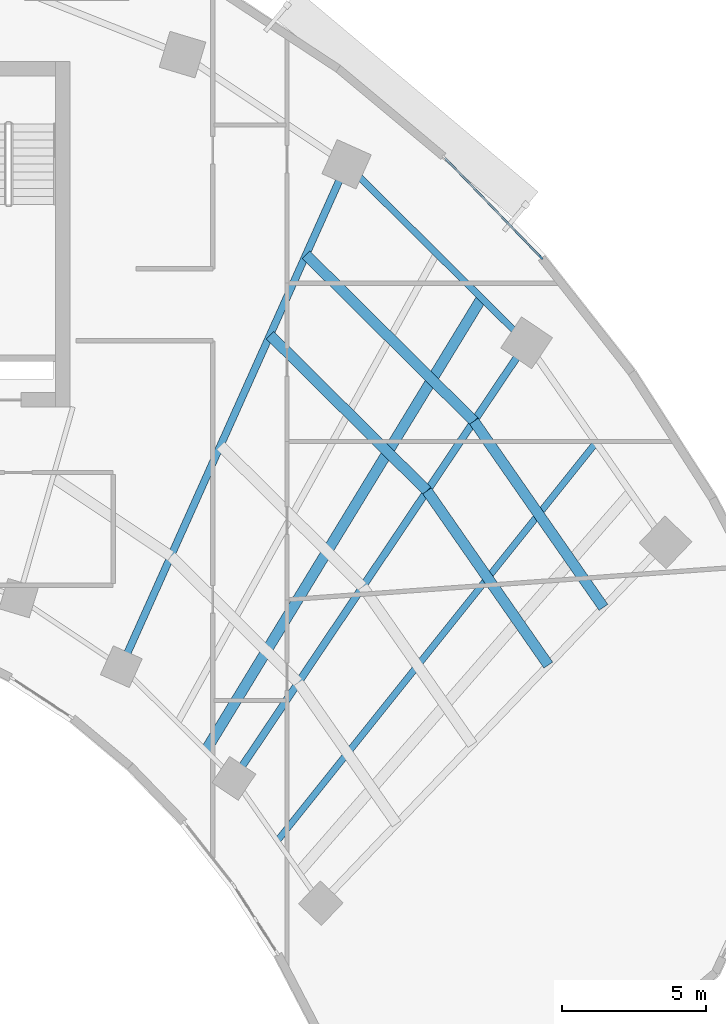
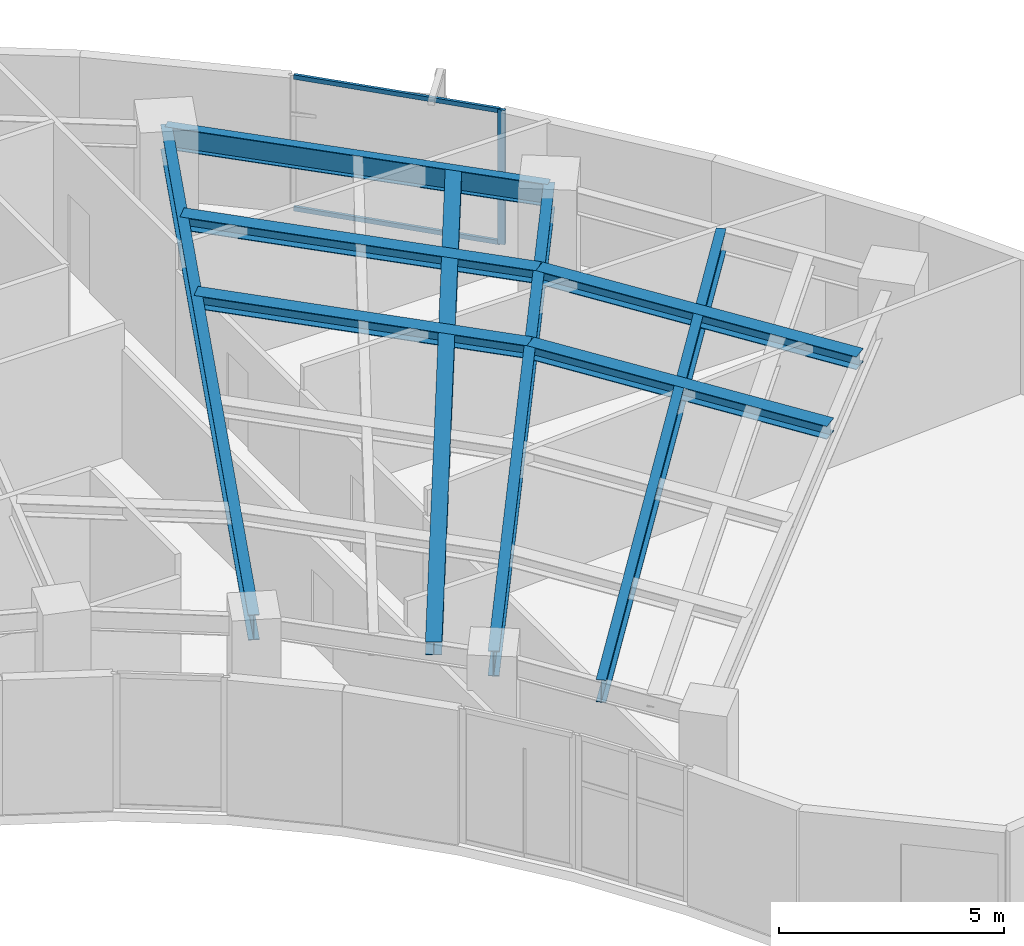
# One storey, part 4 of 14: 9 beams, 3 members, 1 element without a shape of its own.
"""IFC4 building model written with IfcOpenShell, lengths in metres."""

from ifc_helpers import new_model, si_unit, direction, frame, origin, origin_2d, place, context, subcontext, project, spatial, rectangle, i_section, extrude, source, transform, mapped, material, layer, layer_set, material_profile, profile_set, type_object, element, aggregate, save


model = new_model("IFC4")

# Units and contexts
model_context = context("Model", 3, precision=1e-05, world=origin(), true_north=direction((0.0, 1.0)))
body_context = subcontext(model_context, "Body", "Model", "MODEL_VIEW")
ifc_project = project(units=[si_unit("LENGTHUNIT", "METRE"), si_unit("AREAUNIT", "SQUARE_METRE"), si_unit("VOLUMEUNIT", "CUBIC_METRE"), si_unit("PLANEANGLEUNIT", "RADIAN"), si_unit("MASSUNIT", "GRAM", prefix="KILO")], contexts=[model_context])

# Site, building, storey
site_placement = place(None, origin())
site = spatial("IfcSite", under=ifc_project, at=site_placement, CompositionType="ELEMENT")
building_placement = place(site_placement, origin())
building = spatial("IfcBuilding", under=site, at=building_placement, Name="Breltana Convention Tower", CompositionType="ELEMENT")
storey_placement = place(building_placement, frame((0.0, 0.0, 99.89990234375)))
storey = spatial("IfcBuildingStorey", under=building, at=storey_placement, Name="L23", CompositionType="ELEMENT", Elevation=99.89990234375)

# Beams
ifc_material_1 = material(Name="Steel ASTM A992 Grade 50", Category="steel")
ifc_material_profile_1 = material_profile(ifc_material_1, i_section(OverallWidth=0.25390625, OverallDepth=0.68798828125, WebThickness=0.01318359375, FlangeThickness=0.02099609375, at=origin_2d()), Name="W27X102")
ifc_profile_set_1 = profile_set([ifc_material_profile_1], Name="Steel ASTM A992 Grade 50")
beam_type_1 = type_object("IfcBeamType", Name="BM-RG-W27X102", PredefinedType="USERDEFINED", material=ifc_profile_set_1)
shared_shape_1 = source(origin(), body_context, "Body", "SweptSolid", [
    extrude(i_section(OverallWidth=0.25390625, OverallDepth=0.68798828125, WebThickness=0.01318359375, FlangeThickness=0.02099609375, at=origin_2d()), origin(), (0.0, 0.0, 1.0), 19.133544921875),
])
beam_1_placement = place(storey_placement, frame((61.08203125, 51.174560546875, 3.30615234375), z_axis=(0.409144564164, 0.912469575172, 0.0), x_axis=(-0.912469575172, 0.409144564164, 0.0)))
element("IfcBeam", 1, at=beam_1_placement, inside=storey, type_object=beam_type_1, Name="L23 Radial Floor Girder R09", ObjectType="GIRDER", PredefinedType="USERDEFINED", context=body_context, shape_type="MappedRepresentation", body=[
    mapped(shared_shape_1, transform((0.0, 0.0, 0.0), scale=1.0)),
])
shared_shape_2 = source(origin(), body_context, "Body", "SweptSolid", [
    extrude(i_section(OverallWidth=0.25390625, OverallDepth=0.68798828125, WebThickness=0.01318359375, FlangeThickness=0.02099609375, at=origin_2d()), origin(), (0.0, 0.0, 1.0), 18.236328125),
])
beam_2_placement = place(storey_placement, frame((64.995849609375, 47.293701171875, 3.30615234375), z_axis=(0.557730360975, 0.830022195153, 0.0), x_axis=(-0.830022195153, 0.557730360975, 0.0)))
element("IfcBeam", 2, at=beam_2_placement, inside=storey, type_object=beam_type_1, Name="L23 Radial Floor Girder R10", ObjectType="GIRDER", PredefinedType="USERDEFINED", context=body_context, shape_type="MappedRepresentation", body=[
    mapped(shared_shape_2, transform((0.0, 0.0, 0.0), scale=1.0)),
])
ifc_material_profile_2 = material_profile(ifc_material_1, i_section(OverallWidth=0.22802734375, OverallDepth=0.60791015625, WebThickness=0.01123046875, FlangeThickness=0.017333984375, at=origin_2d()), Name="W24X76")
ifc_profile_set_2 = profile_set([ifc_material_profile_2], Name="Steel ASTM A992 Grade 50")
beam_type_2 = type_object("IfcBeamType", Name="BM-SP-W24X76", PredefinedType="SPANDREL", material=ifc_profile_set_2)
shared_shape_3 = source(origin(), body_context, "Body", "SweptSolid", [
    extrude(i_section(OverallWidth=0.22802734375, OverallDepth=0.60791015625, WebThickness=0.01123046875, FlangeThickness=0.017333984375, at=origin_2d()), origin(), (0.0, 0.0, 1.0), 8.810302734375),
])
beam_3_placement = place(storey_placement, frame((68.910400390625, 68.63330078125, 3.34619140625), z_axis=(0.710120823582, -0.704079836322, 0.0), x_axis=(0.704079836322, 0.710120823582, 0.0)))
element("IfcBeam", 3, at=beam_3_placement, inside=storey, type_object=beam_type_2, Name="L23 Outer Spandrel Beam 09", PredefinedType="SPANDREL", context=body_context, shape_type="MappedRepresentation", body=[
    mapped(shared_shape_3, transform((0.0, 0.0, 0.0), scale=1.0)),
])
ifc_material_profile_3 = material_profile(ifc_material_1, i_section(OverallWidth=0.368896484375, OverallDepth=0.35595703125, WebThickness=0.01123046875, FlangeThickness=0.01806640625, at=origin_2d()), Name="W14X90")
ifc_profile_set_3 = profile_set([ifc_material_profile_3], Name="Steel ASTM A992 Grade 50")
beam_type_3 = type_object("IfcBeamType", Name="BM-JSG-09", PredefinedType="JOIST", material=ifc_profile_set_3)
shared_shape_4 = source(origin(), body_context, "Body", "SweptSolid", [
    extrude(i_section(OverallWidth=0.368896484375, OverallDepth=0.35595703125, WebThickness=0.01123046875, FlangeThickness=0.01806640625, at=origin_2d()), origin(), (0.0, 0.0, 1.0), 7.688720703125),
])
beam_4_placement = place(storey_placement, frame((66.248779296875, 62.697265625, 3.47216796875), z_axis=(0.710101109809, -0.704099718682, 0.0), x_axis=(0.704099718682, 0.710101109809, 0.0)))
element("IfcBeam", 4, at=beam_4_placement, inside=storey, type_object=beam_type_3, Name="L23 Composite Floor Joist 09.3", PredefinedType="JOIST", context=body_context, shape_type="MappedRepresentation", body=[
    mapped(shared_shape_4, transform((0.0, 0.0, 0.0), scale=1.0)),
])
shared_shape_5 = source(origin(), body_context, "Body", "SweptSolid", [
    extrude(i_section(OverallWidth=0.368896484375, OverallDepth=0.35595703125, WebThickness=0.01123046875, FlangeThickness=0.01806640625, at=origin_2d()), origin(), (0.0, 0.0, 1.0), 8.21630859375),
])
beam_5_placement = place(storey_placement, frame((67.50146484375, 65.49072265625, 3.47216796875), z_axis=(0.710101511063, -0.704099314008, 0.0), x_axis=(0.704099314008, 0.710101511063, 0.0)))
element("IfcBeam", 5, at=beam_5_placement, inside=storey, type_object=beam_type_3, Name="L23 Composite Floor Joist 09.4", PredefinedType="JOIST", context=body_context, shape_type="MappedRepresentation", body=[
    mapped(shared_shape_5, transform((0.0, 0.0, 0.0), scale=1.0)),
])
shared_shape_6 = source(origin(), body_context, "Body", "SweptSolid", [
    extrude(i_section(OverallWidth=0.368896484375, OverallDepth=0.35595703125, WebThickness=0.01123046875, FlangeThickness=0.01806640625, at=origin_2d()), origin(), (0.0, 0.0, 1.0), 18.409423828125),
])
beam_6_placement = place(storey_placement, frame((64.017333984375, 48.263916015625, 3.47216796875), z_axis=(0.520682167606, 0.853750596098, 0.0), x_axis=(-0.853750596098, 0.520682167606, 0.0)))
element("IfcBeam", 6, at=beam_6_placement, inside=storey, type_object=beam_type_3, Name="L23 Quarter-Bay Radial Trimmer 09", PredefinedType="JOIST", context=body_context, shape_type="MappedRepresentation", body=[
    mapped(shared_shape_6, transform((0.0, 0.0, 0.0), scale=1.0)),
])
shared_shape_7 = source(origin(), body_context, "Body", "SweptSolid", [
    extrude(i_section(OverallWidth=0.368896484375, OverallDepth=0.35595703125, WebThickness=0.01123046875, FlangeThickness=0.01806640625, at=origin_2d()), origin(), (0.0, 0.0, 1.0), 7.374267578125),
])
beam_7_placement = place(storey_placement, frame((71.70849609375, 57.28369140625, 3.47216796875), z_axis=(0.571229379406, -0.820790470281, 0.0), x_axis=(0.820790470281, 0.571229379406, 0.0)))
element("IfcBeam", 7, at=beam_7_placement, inside=storey, type_object=beam_type_3, Name="L23 Composite Floor Joist 10.3", PredefinedType="JOIST", context=body_context, shape_type="MappedRepresentation", body=[
    mapped(shared_shape_7, transform((0.0, 0.0, 0.0), scale=1.0)),
])
shared_shape_8 = source(origin(), body_context, "Body", "SweptSolid", [
    extrude(i_section(OverallWidth=0.368896484375, OverallDepth=0.35595703125, WebThickness=0.01123046875, FlangeThickness=0.01806640625, at=origin_2d()), origin(), (0.0, 0.0, 1.0), 7.88037109375),
])
beam_8_placement = place(storey_placement, frame((73.3359375, 59.70556640625, 3.47216796875), z_axis=(0.571197916304, -0.820812366141, 0.0), x_axis=(0.820812366141, 0.571197916304, 0.0)))
element("IfcBeam", 8, at=beam_8_placement, inside=storey, type_object=beam_type_3, Name="L23 Composite Floor Joist 10.4", PredefinedType="JOIST", context=body_context, shape_type="MappedRepresentation", body=[
    mapped(shared_shape_8, transform((0.0, 0.0, 0.0), scale=1.0)),
])
ifc_material_profile_4 = material_profile(ifc_material_1, i_section(OverallWidth=0.22802734375, OverallDepth=0.60791015625, WebThickness=0.01123046875, FlangeThickness=0.017333984375, at=origin_2d()), Name="W24X76")
ifc_profile_set_4 = profile_set([ifc_material_profile_4], Name="Steel ASTM A992 Grade 50")
beam_type_4 = type_object("IfcBeamType", Name="BM-JSG-02", PredefinedType="JOIST", material=ifc_profile_set_4)
shared_shape_9 = source(origin(), body_context, "Body", "SweptSolid", [
    extrude(i_section(OverallWidth=0.22802734375, OverallDepth=0.60791015625, WebThickness=0.01123046875, FlangeThickness=0.017333984375, at=origin_2d()), origin(), (0.0, 0.0, 1.0), 17.7236328125),
])
beam_9_placement = place(storey_placement, frame((66.505615234375, 45.124267578125, 3.34619140625), z_axis=(0.624829427563, 0.78076128647, 0.0), x_axis=(-0.78076128647, 0.624829427563, 0.0)))
element("IfcBeam", 9, at=beam_9_placement, inside=storey, type_object=beam_type_4, Name="L23 Mid-Bay Radial Trimmer 10", PredefinedType="JOIST", context=body_context, shape_type="MappedRepresentation", body=[
    mapped(shared_shape_9, transform((0.0, 0.0, 0.0), scale=1.0)),
])

# Curtain wall, members
ifc_material_2 = material(Name="Aluminium Anodised Bronze Frame", Category="aluminium")
ifc_layer = layer(ifc_material_2, 0.22998046875, Name="Aluminium Anodised Bronze Frame")
ifc_layer_set = layer_set([ifc_layer], Name="Aluminium Anodised Bronze Frame")
curtain_wall_type = type_object("IfcCurtainWallType", Name="CW-SYS-5", PredefinedType="NOTDEFINED", material=ifc_layer_set)
curtain_wall_placement = place(storey_placement, origin())
curtain_wall = element("IfcCurtainWall", 10, at=curtain_wall_placement, inside=storey, type_object=curtain_wall_type, Name="L23 outer double-skin inner glazing 4", PredefinedType="NOTDEFINED")
ifc_material_3 = material(Name="Aluminium Anodised Bronze", Category="aluminium")
ifc_material_profile_5 = material_profile(ifc_material_3, rectangle(XDim=0.070068359375, YDim=0.1201171875, at=origin_2d()), Name="CWT-70X120")
ifc_profile_set_5 = profile_set([ifc_material_profile_5], Name="Aluminium Anodised Bronze")
member_type_1 = type_object("IfcMemberType", Name="CWT-120", PredefinedType="USERDEFINED", material=ifc_profile_set_5)
shared_shape_10 = source(origin(), body_context, "Body", "SweptSolid", [
    extrude(rectangle(XDim=0.070068359375, YDim=0.1201171875, at=origin_2d()), origin(), (0.0, 0.0, 1.0), 4.7685546875),
])
member_1_placement = place(storey_placement, frame((72.323974609375, 68.857177734375, 0.03515625), z_axis=(0.694608218982, -0.719388227679, 0.0), x_axis=(0.719388227679, 0.694608218982, 0.0)))
member_1 = element("IfcMember", 11, at=member_1_placement, type_object=member_type_1, Name="CW-05 transom 1.1", ObjectType="TRANSOM", PredefinedType="USERDEFINED", context=body_context, shape_type="MappedRepresentation", body=[
    mapped(shared_shape_10, transform((0.0, 0.0, 0.0), scale=1.0)),
])
member_2_placement = place(storey_placement, frame((72.323974609375, 68.857177734375, 3.614990234375), z_axis=(0.694608218982, -0.719388227679, 0.0), x_axis=(0.719388227679, 0.694608218982, 0.0)))
member_2 = element("IfcMember", 12, at=member_2_placement, type_object=member_type_1, Name="CW-05 transom 1.2", ObjectType="TRANSOM", PredefinedType="USERDEFINED", context=body_context, shape_type="MappedRepresentation", body=[
    mapped(shared_shape_10, transform((0.0, 0.0, 0.0), scale=1.0)),
])
ifc_material_profile_6 = material_profile(ifc_material_3, rectangle(XDim=0.070068359375, YDim=0.175048828125, at=origin_2d()), Name="CWM-70X175")
ifc_profile_set_6 = profile_set([ifc_material_profile_6], Name="Aluminium Anodised Bronze")
member_type_2 = type_object("IfcMemberType", Name="CWM-175", PredefinedType="MULLION", material=ifc_profile_set_6)
shared_shape_11 = source(origin(), body_context, "Body", "SweptSolid", [
    extrude(rectangle(XDim=0.070068359375, YDim=0.175048828125, at=origin_2d()), origin(), (0.0, 0.0, 1.0), 3.650146484375),
])
member_3_placement = place(storey_placement, frame((75.660400390625, 65.401611328125, 0.0), z_axis=(0.0, 0.0, 1.0), x_axis=(0.719384961558, 0.694611601605, 0.0)))
member_3 = element("IfcMember", 13, at=member_3_placement, type_object=member_type_2, Name="CW-05 mullion 2", PredefinedType="MULLION", context=body_context, shape_type="MappedRepresentation", body=[
    mapped(shared_shape_11, transform((0.0, 0.0, 0.0), scale=1.0)),
])
aggregate(curtain_wall, [member_3, member_1, member_2])

save(model, "model.ifc")
